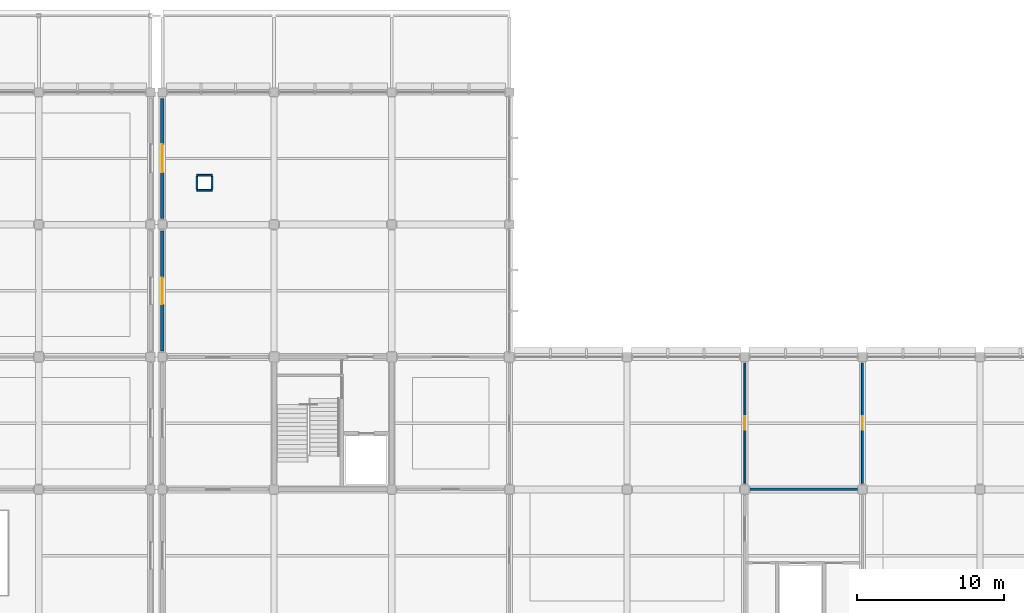
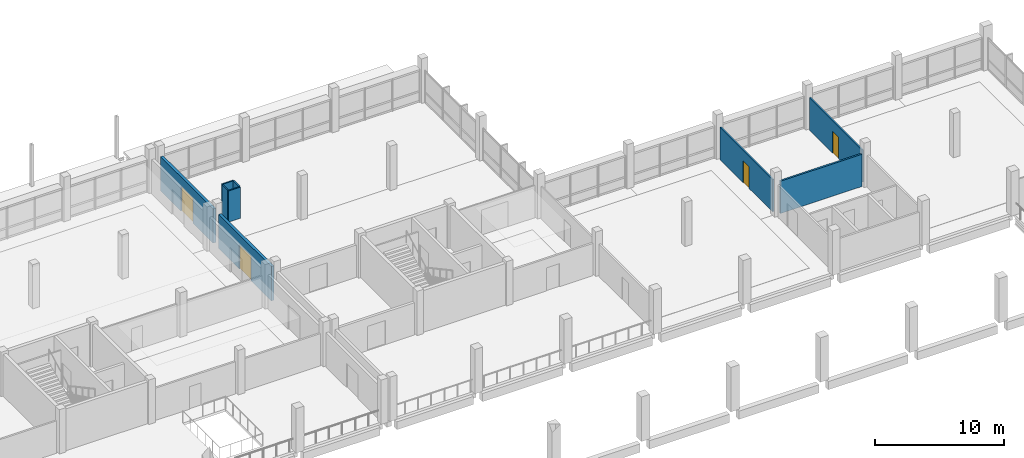
# One storey, part 50 of 57: 9 walls, 4 doors, 4 openings.
"""IFC4 building model written with IfcOpenShell, lengths in metres."""

from ifc_helpers import new_model, si_unit, direction, frame, frame_2d, origin, place, context, subcontext, project, spatial, rectangle, extrude, material, layer, layer_set, type_object, element, fill, save


model = new_model("IFC4")

# Units and contexts
model_context = context("Model", 3, precision=1e-05, world=origin(), true_north=direction((0.0, 1.0)))
body_context = subcontext(model_context, "Body", "Model", "MODEL_VIEW")
ifc_project = project(units=[si_unit("LENGTHUNIT", "METRE"), si_unit("AREAUNIT", "SQUARE_METRE"), si_unit("VOLUMEUNIT", "CUBIC_METRE"), si_unit("PLANEANGLEUNIT", "RADIAN"), si_unit("MASSUNIT", "GRAM", prefix="KILO"), si_unit("THERMODYNAMICTEMPERATUREUNIT", "KELVIN"), si_unit("POWERUNIT", "WATT")], contexts=[model_context])

# Site, building, storey
site_placement = place(None, origin())
site = spatial("IfcSite", under=ifc_project, at=site_placement, CompositionType="ELEMENT")
building_placement = place(site_placement, origin())
building = spatial("IfcBuilding", under=site, at=building_placement, Name="Kronsvod Quay Wholesale Market", CompositionType="ELEMENT")
storey_placement = place(building_placement, frame((0.0, 0.0, 4.800048828125)))
storey = spatial("IfcBuildingStorey", under=building, at=storey_placement, Name="L01", CompositionType="ELEMENT", Elevation=4.800048828125)

# Wall, opening, door
ifc_material_1 = material(Name="Precast concrete C40/50", Category="concrete")
ifc_layer_1 = layer(ifc_material_1, 0.239990234375)
ifc_layer_set_1 = layer_set([ifc_layer_1], Name="Precast concrete C40/50")
wall_type_1 = type_object("IfcWallType", Name="Wall_ExtSpandrel240", PredefinedType="SOLIDWALL", material=ifc_layer_set_1)
wall_1_placement = place(storey_placement, frame((128.39990234375, 108.419921875, 0.0), z_axis=(0.0, 0.0, 1.0), x_axis=(0.0, 1.0, 0.0)))
wall_1 = element("IfcWall", 1, at=wall_1_placement, inside=storey, type_object=wall_type_1, Name="MJWG-L01-1284-1080", PredefinedType="SOLIDWALL", context=body_context, shape_type="SweptSolid", body=[
    extrude(rectangle(XDim=8.16015625, YDim=0.239990234375, at=frame_2d((4.080078125, 0.0))), origin(), (0.0, 0.0, 1.0), 3.239990234375),
])
opening_1_placement = place(wall_1_placement, frame((3.179931640625, 0.0, 0.0)))
opening_1 = element("IfcOpeningElement", 2, at=opening_1_placement, cuts=wall_1, Name="Opening D-0372", PredefinedType="OPENING", context=body_context, shape_type="SweptSolid", body=[
    extrude(rectangle(XDim=1.800048828125, YDim=2.300048828125, at=frame_2d((0.89990234375, 1.14990234375))), frame((0.0, 0.1298828125, 0.0), z_axis=(0.0, -1.0, 0.0), x_axis=(1.0, 0.0, 0.0)), (0.0, 0.0, 1.0), 0.260009765625),
])
ifc_material_2 = material(Name="Painted galvanized fire steel", Category="steel")
door_type_1 = type_object("IfcDoorType", Name="Door_FireComp180x230", OperationType="DOUBLE_DOOR_SINGLE_SWING", PredefinedType="DOOR", material=ifc_material_2)
door_1_placement = place(opening_1_placement, origin())
door_1 = element("IfcDoor", 3, at=door_1_placement, inside=storey, type_object=door_type_1, Name="Fire Compartment Door D-0372", OperationType="DOUBLE_DOOR_SINGLE_SWING", OverallHeight=2.300048828125, OverallWidth=1.800048828125, PredefinedType="DOOR", context=body_context, shape_type="SweptSolid", body=[
    extrude(rectangle(XDim=1.800048828125, YDim=2.300048828125, at=frame_2d((0.89990234375, 1.14990234375))), frame((0.0, 0.02490234375, 0.0), z_axis=(0.0, -1.0, 0.0), x_axis=(1.0, 0.0, 0.0)), (0.0, 0.0, 1.0), 0.050048828125),
])
fill(opening_1, door_1)

wall_2_placement = place(storey_placement, frame((128.39990234375, 117.419921875, 0.0), z_axis=(0.0, 0.0, 1.0), x_axis=(0.0, 1.0, 0.0)))
wall_2 = element("IfcWall", 4, at=wall_2_placement, inside=storey, type_object=wall_type_1, Name="MJWG-L01-1284-1170", PredefinedType="SOLIDWALL", context=body_context, shape_type="SweptSolid", body=[
    extrude(rectangle(XDim=8.16015625, YDim=0.239990234375, at=frame_2d((4.080078125, 0.0))), origin(), (0.0, 0.0, 1.0), 3.239990234375),
])
opening_2_placement = place(wall_2_placement, frame((3.1298828125, 0.0, 0.0)))
opening_2 = element("IfcOpeningElement", 5, at=opening_2_placement, cuts=wall_2, Name="Opening D-0373", PredefinedType="OPENING", context=body_context, shape_type="SweptSolid", body=[
    extrude(rectangle(XDim=1.89990234375, YDim=2.35009765625, at=frame_2d((0.949951171875, 1.175048828125))), frame((0.0, 0.1298828125, 0.0), z_axis=(0.0, -1.0, 0.0), x_axis=(1.0, 0.0, 0.0)), (0.0, 0.0, 1.0), 0.260009765625),
])
ifc_material_3 = material(Name="Painted galvanized fire steel", Category="steel")
door_type_2 = type_object("IfcDoorType", Name="Door_FireComp190x235", OperationType="DOUBLE_DOOR_SINGLE_SWING", PredefinedType="DOOR", material=ifc_material_3)
door_2_placement = place(opening_2_placement, origin())
door_2 = element("IfcDoor", 6, at=door_2_placement, inside=storey, type_object=door_type_2, Name="Fire Compartment Door D-0373", OperationType="DOUBLE_DOOR_SINGLE_SWING", OverallHeight=2.35009765625, OverallWidth=1.89990234375, PredefinedType="DOOR", context=body_context, shape_type="SweptSolid", body=[
    extrude(rectangle(XDim=1.89990234375, YDim=2.35009765625, at=frame_2d((0.949951171875, 1.175048828125))), frame((0.0, 0.02490234375, 0.0), z_axis=(0.0, -1.0, 0.0), x_axis=(1.0, 0.0, 0.0)), (0.0, 0.0, 1.0), 0.050048828125),
])
fill(opening_2, door_2)

# Walls
ifc_material_4 = material(Name="Fire-rated corridor gypsum partition")
ifc_layer_2 = layer(ifc_material_4, 0.159912109375)
ifc_layer_set_2 = layer_set([ifc_layer_2], Name="Fire-rated corridor gypsum partition")
wall_type_2 = type_object("IfcWallType", Name="Wall_PartCorridor160", PredefinedType="PARTITIONING", material=ifc_layer_set_2)
wall_3_placement = place(storey_placement, frame((168.35009765625, 99.0, 0.0), z_axis=(0.0, 0.0, 1.0), x_axis=(1.0, 0.0, 0.0)))
element("IfcWall", 7, at=wall_3_placement, inside=storey, type_object=wall_type_2, Name="LFX-L01-WN", PredefinedType="PARTITIONING", context=body_context, shape_type="SweptSolid", body=[
    extrude(rectangle(XDim=7.2998046875, YDim=0.159912109375, at=frame_2d((3.64990234375, 0.0))), origin(), (0.0, 0.0, 1.0), 3.050048828125),
])
ifc_material_5 = material(Name="Fire-rated shaft riser block wall", Category="masonry")
ifc_layer_3 = layer(ifc_material_5, 0.1201171875)
ifc_layer_set_3 = layer_set([ifc_layer_3], Name="Fire-rated shaft riser block wall")
wall_type_3 = type_object("IfcWallType", Name="Wall_PartRiser120", PredefinedType="PARTITIONING", material=ifc_layer_set_3)
for number, where, z_axis, x_axis, name in (
    (8, (130.739990234375, 119.340087890625, 0.0), (0.0, 0.0, 1.0), (1.0, 0.0, 0.0), "RSRW-SLB-L01-088-S"),
    (9, (130.739990234375, 120.360107421875, 0.0), (0.0, 0.0, 1.0), (1.0, 0.0, 0.0), "RSRW-SLB-L01-088-N"),
):
    element("IfcWall", number, at=place(storey_placement, frame(where, z_axis=z_axis, x_axis=x_axis)), inside=storey, type_object=wall_type_3, Name=name, PredefinedType="PARTITIONING", context=body_context, shape_type="SweptSolid", body=[
        extrude(rectangle(XDim=1.06005859375, YDim=0.1201171875, at=frame_2d((0.530029296875, 0.0))), origin(), (0.0, 0.0, 1.0), 2.949951171875),
    ])
for number, where, z_axis, x_axis, name in (
    (10, (130.760009765625, 119.419921875, 0.0), (0.0, 0.0, 1.0), (0.0, 1.0, 0.0), "RSRW-SLB-L01-088-W"),
    (11, (131.780029296875, 119.419921875, 0.0), (0.0, 0.0, 1.0), (0.0, 1.0, 0.0), "RSRW-SLB-L01-088-E"),
):
    element("IfcWall", number, at=place(storey_placement, frame(where, z_axis=z_axis, x_axis=x_axis)), inside=storey, type_object=wall_type_3, Name=name, PredefinedType="PARTITIONING", context=body_context, shape_type="SweptSolid", body=[
        extrude(rectangle(XDim=0.860107421875, YDim=0.1201171875, at=frame_2d((0.43017578125, 0.0))), origin(), (0.0, 0.0, 1.0), 2.949951171875),
    ])

# Wall, opening, door
ifc_material_6 = material(Name="Moisture-resistant sanitary block partition", Category="masonry")
ifc_layer_4 = layer(ifc_material_6, 0.135009765625)
ifc_layer_set_4 = layer_set([ifc_layer_4], Name="Moisture-resistant sanitary block partition")
wall_type_4 = type_object("IfcWallType", Name="Wall_PartWet135", PredefinedType="PLUMBINGWALL", material=ifc_layer_set_4)
wall_4_placement = place(storey_placement, frame((168.0, 99.419921875, 0.0), z_axis=(0.0, 0.0, 1.0), x_axis=(0.0, 1.0, 0.0)))
wall_4 = element("IfcWall", 12, at=wall_4_placement, inside=storey, type_object=wall_type_4, Name="PW-L01-0063", PredefinedType="PLUMBINGWALL", context=body_context, shape_type="SweptSolid", body=[
    extrude(rectangle(XDim=8.16015625, YDim=0.135009765625, at=frame_2d((4.080078125, 0.0))), origin(), (0.0, 0.0, 1.0), 3.050048828125),
])
opening_3_placement = place(wall_4_placement, frame((3.6201171875, 0.0, 0.0)))
opening_3 = element("IfcOpeningElement", 13, at=opening_3_placement, cuts=wall_4, Name="Opening D-0248", PredefinedType="OPENING", context=body_context, shape_type="SweptSolid", body=[
    extrude(rectangle(XDim=0.919921875, YDim=2.080078125, at=frame_2d((0.4599609375, 1.0400390625))), frame((0.0, 0.07763671875, 0.0), z_axis=(0.0, -1.0, 0.0), x_axis=(1.0, 0.0, 0.0)), (0.0, 0.0, 1.0), 0.155029296875),
])
ifc_material_7 = material(Name="Moisture-resistant laminate door", Category="wood")
door_type_3 = type_object("IfcDoorType", Name="Door_WC92x208", OperationType="NOTDEFINED", PredefinedType="DOOR", material=ifc_material_7)
door_3_placement = place(opening_3_placement, origin())
door_3 = element("IfcDoor", 14, at=door_3_placement, inside=storey, type_object=door_type_3, Name="Interior Door D-0248", OperationType="SINGLE_SWING_RIGHT", OverallHeight=2.080078125, OverallWidth=0.919921875, PredefinedType="DOOR", context=body_context, shape_type="SweptSolid", body=[
    extrude(rectangle(XDim=0.919921875, YDim=2.080078125, at=frame_2d((0.4599609375, 1.0400390625))), frame((0.0, 0.02490234375, 0.0), z_axis=(0.0, -1.0, 0.0), x_axis=(1.0, 0.0, 0.0)), (0.0, 0.0, 1.0), 0.050048828125),
])
fill(opening_3, door_3)

wall_5_placement = place(storey_placement, frame((176.0, 99.419921875, 0.0), z_axis=(0.0, 0.0, 1.0), x_axis=(0.0, 1.0, 0.0)))
wall_5 = element("IfcWall", 15, at=wall_5_placement, inside=storey, type_object=wall_type_4, Name="PW-L01-0066", PredefinedType="PLUMBINGWALL", context=body_context, shape_type="SweptSolid", body=[
    extrude(rectangle(XDim=8.16015625, YDim=0.135009765625, at=frame_2d((4.080078125, 0.0))), origin(), (0.0, 0.0, 1.0), 3.050048828125),
])
opening_4_placement = place(wall_5_placement, frame((3.6201171875, 0.0, 0.0)))
opening_4 = element("IfcOpeningElement", 16, at=opening_4_placement, cuts=wall_5, Name="Opening D-0251", PredefinedType="OPENING", context=body_context, shape_type="SweptSolid", body=[
    extrude(rectangle(XDim=0.919921875, YDim=2.080078125, at=frame_2d((0.4599609375, 1.0400390625))), frame((0.0, 0.07763671875, 0.0), z_axis=(0.0, -1.0, 0.0), x_axis=(1.0, 0.0, 0.0)), (0.0, 0.0, 1.0), 0.155029296875),
])
door_4_placement = place(opening_4_placement, origin())
door_4 = element("IfcDoor", 17, at=door_4_placement, inside=storey, type_object=door_type_3, Name="Interior Door D-0251", OperationType="SINGLE_SWING_LEFT", OverallHeight=2.080078125, OverallWidth=0.919921875, PredefinedType="DOOR", context=body_context, shape_type="SweptSolid", body=[
    extrude(rectangle(XDim=0.919921875, YDim=2.080078125, at=frame_2d((0.4599609375, 1.0400390625))), frame((0.0, 0.02490234375, 0.0), z_axis=(0.0, -1.0, 0.0), x_axis=(1.0, 0.0, 0.0)), (0.0, 0.0, 1.0), 0.050048828125),
])
fill(opening_4, door_4)

save(model, "model.ifc")
